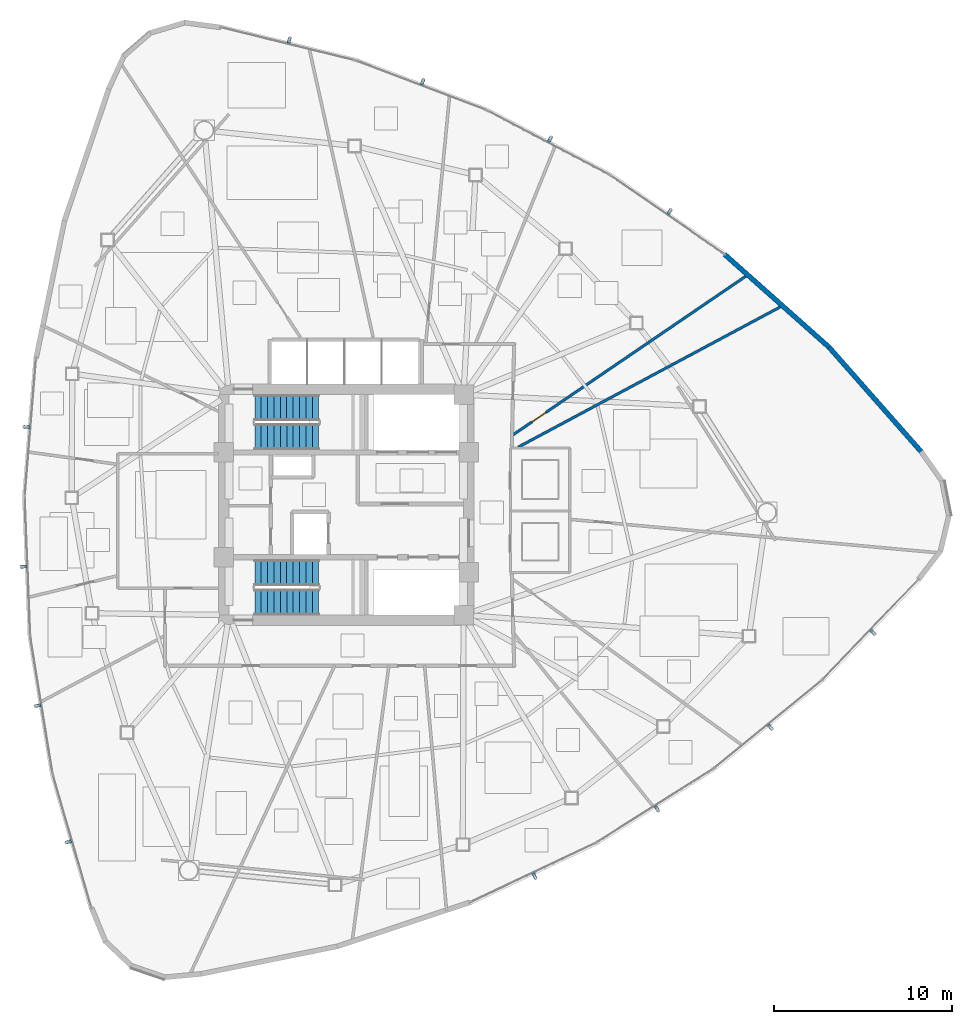
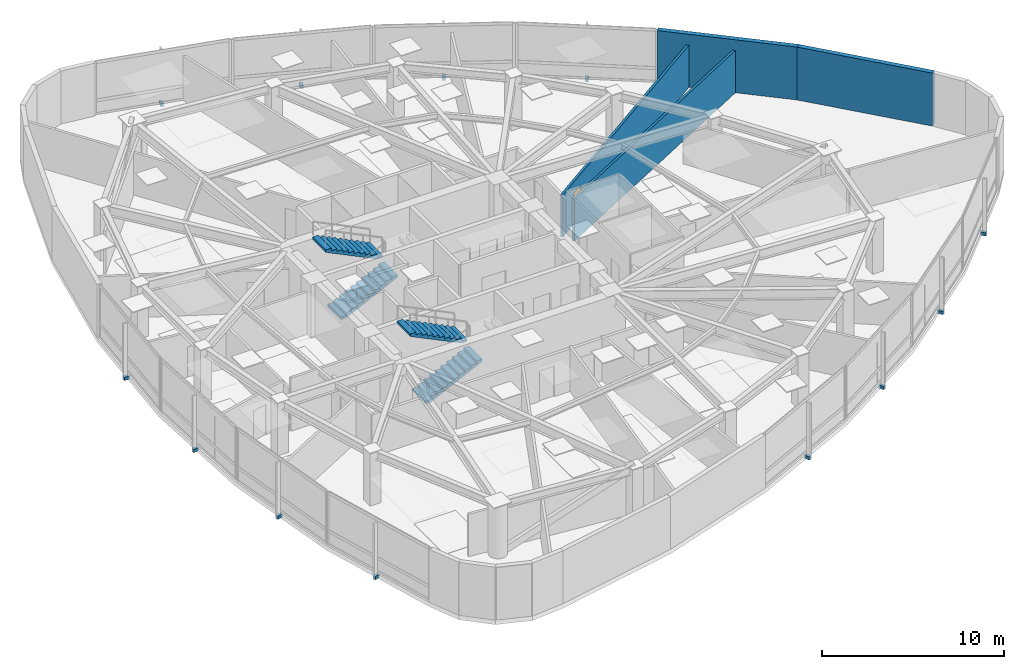
# One storey, part 13 of 17: 12 discrete accessories, 4 stair flights, 4 walls, 1 door, 1 opening, 2 elements without a shape of their own.
"""IFC4 building model written with IfcOpenShell, lengths in metres."""

from ifc_helpers import new_model, si_unit, direction, frame, frame_2d, origin, origin_2d, place, context, subcontext, project, spatial, polyline, rectangle, outline, extrude, source, transform, mapped, material, layer, layer_set, type_object, type_shapes, element, fill, aggregate, save


model = new_model("IFC4")

# Units and contexts
model_context = context("Model", 3, precision=1e-05, world=origin(), true_north=direction((0.0, 1.0)))
body_context = subcontext(model_context, "Body", "Model", "MODEL_VIEW")
ifc_project = project(units=[si_unit("LENGTHUNIT", "METRE"), si_unit("AREAUNIT", "SQUARE_METRE"), si_unit("VOLUMEUNIT", "CUBIC_METRE"), si_unit("PLANEANGLEUNIT", "RADIAN"), si_unit("MASSUNIT", "GRAM", prefix="KILO")], contexts=[model_context])

# Site, building, storey
site_placement = place(None, origin())
site = spatial("IfcSite", under=ifc_project, at=site_placement, CompositionType="ELEMENT")
building_placement = place(site_placement, origin())
building = spatial("IfcBuilding", under=site, at=building_placement, Name="Tavelor Broadcast Tower", CompositionType="ELEMENT")
storey_placement = place(building_placement, frame((0.0, 0.0, 154.10009765625)))
storey = spatial("IfcBuildingStorey", under=building, at=storey_placement, Name="L36", CompositionType="ELEMENT", Elevation=154.10009765625)

# Walls
ifc_material_1 = material(Name="Precast Concrete C40/50", Category="concrete")
ifc_layer_1 = layer(ifc_material_1, 0.280029296875)
ifc_layer_set_1 = layer_set([ifc_layer_1], Name="Precast Concrete C40/50")
wall_type_1 = type_object("IfcWallType", Name="Insulated Precast Terracotta Facade Wall 280 mm", PredefinedType="STANDARD", material=ifc_layer_set_1)
wall_1_placement = place(storey_placement, frame((82.373291015625, 47.9814453125, 0.0), z_axis=(0.0, 0.0, 1.0), x_axis=(-0.661608319917, 0.749849605599, 0.0)))
element("IfcWall", 1, at=wall_1_placement, inside=storey, type_object=wall_type_1, Name="L36 Rounded Corner Structural Cladding Pier 25", PredefinedType="STANDARD", context=body_context, shape_type="SweptSolid", body=[
    extrude(rectangle(XDim=7.88232421875, YDim=0.280029296875, at=frame_2d((3.941162109375, 0.0))), origin(), (0.0, 0.0, 1.0), 3.5498046875),
])
wall_2_placement = place(storey_placement, frame((77.17919921875, 53.870849609375, 0.0), z_axis=(0.0, 0.0, 1.0), x_axis=(-0.747494885578, 0.664267563588, 0.0)))
element("IfcWall", 2, at=wall_2_placement, inside=storey, type_object=wall_type_1, Name="L36 Rounded Corner Structural Cladding Pier 26", PredefinedType="STANDARD", context=body_context, shape_type="SweptSolid", body=[
    extrude(rectangle(XDim=7.870361328125, YDim=0.280029296875, at=frame_2d((3.93505859375, 0.0))), origin(), (0.0, 0.0, 1.0), 3.5498046875),
])
ifc_material_2 = material(Name="Gypsum Acoustic Plasterboard 150 mm", Category="gypsum")
ifc_layer_2 = layer(ifc_material_2, 0.14990234375)
ifc_layer_set_2 = layer_set([ifc_layer_2], Name="Gypsum Acoustic Plasterboard 150 mm")
wall_type_2 = type_object("IfcWallType", Name="Interior Acoustic Partition Wall 150 mm", PredefinedType="PARTITIONING", material=ifc_layer_set_2)
wall_3_placement = place(storey_placement, frame((59.67578125, 48.25, 0.0), z_axis=(0.0, 0.0, 1.0), x_axis=(0.881770932425, 0.471677880265, 0.0)))
element("IfcWall", 3, at=wall_3_placement, inside=storey, type_object=wall_type_2, Name="L36 Radial Compartment Wall 15", PredefinedType="PARTITIONING", context=body_context, shape_type="SweptSolid", body=[
    extrude(rectangle(XDim=16.8798828125, YDim=0.14990234375, at=frame_2d((8.43994140625, 0.0))), origin(), (0.0, 0.0, 1.0), 2.8349609375),
])

# Wall, opening, door
wall_4_placement = place(storey_placement, frame((59.330078125, 48.904296875, 0.0), z_axis=(0.0, 0.0, 1.0), x_axis=(0.82640543954, 0.563075527349, 0.0)))
wall_4 = element("IfcWall", 4, at=wall_4_placement, inside=storey, type_object=wall_type_2, Name="L36 Radial Compartment Wall 16", PredefinedType="PARTITIONING", context=body_context, shape_type="SweptSolid", body=[
    extrude(rectangle(XDim=16.0634765625, YDim=0.14990234375, at=frame_2d((8.03173828125, 0.0))), origin(), (0.0, 0.0, 1.0), 2.8349609375),
])
opening_placement = place(wall_4_placement, frame((1.35009765625, 0.0, 0.0)))
opening = element("IfcOpeningElement", 5, at=opening_placement, cuts=wall_4, Name="Opening DR18", PredefinedType="OPENING", context=body_context, shape_type="SweptSolid", body=[
    extrude(rectangle(XDim=0.949951171875, YDim=2.050048828125, at=frame_2d((0.47509765625, 1.02490234375))), frame((0.0, 0.0849609375, 0.0), z_axis=(0.0, -1.0, 0.0), x_axis=(1.0, 0.0, 0.0)), (0.0, 0.0, 1.0), 0.169921875),
])
ifc_material_3 = material(Name="Timber Solid Core Hardwood", Category="wood")
door_type = type_object("IfcDoorType", Name="Corridor Rated Compartment Door 950x2050", OperationType="NOTDEFINED", PredefinedType="DOOR", material=ifc_material_3)
door_placement = place(opening_placement, origin())
door = element("IfcDoor", 6, at=door_placement, inside=storey, type_object=door_type, Name="L36 Suite Connecting Door 15", OperationType="SINGLE_SWING_LEFT", OverallHeight=2.050048828125, OverallWidth=0.949951171875, PredefinedType="DOOR", context=body_context, shape_type="SweptSolid", body=[
    extrude(rectangle(XDim=0.949951171875, YDim=2.050048828125, at=frame_2d((0.47509765625, 1.02490234375))), frame((0.0, 0.02490234375, 0.0), z_axis=(0.0, -1.0, 0.0), x_axis=(1.0, 0.0, 0.0)), (0.0, 0.0, 1.0), 0.050048828125),
])
fill(opening, door)

# Stair, stair flights
ifc_material_4 = material(Name="Concrete C40/50", Category="concrete")
stair_type = type_object("IfcStairType", Name="Reinforced Concrete Protected Dogleg Stair 1450 mm", PredefinedType="HALF_TURN_STAIR", material=ifc_material_4)
stair_1_placement = place(storey_placement, origin())
stair_1 = element("IfcStair", 7, at=stair_1_placement, inside=storey, type_object=stair_type, Name="L36 Protected Core Exit Stair ST1", PredefinedType="HALF_TURN_STAIR")
stair_flight_type = type_object("IfcStairFlightType", Name="Reinforced Concrete Stair Flight 1450 mm", PredefinedType="STRAIGHT", material=ifc_material_4)
stair_flight_1_placement = place(storey_placement, frame((44.85009765625, 48.824951171875, 0.0), z_axis=(0.0, 0.0, 1.0), x_axis=(1.0, 0.0, 0.0)))
stair_flight_1 = element("IfcStairFlight", 8, at=stair_flight_1_placement, type_object=stair_flight_type, Name="ST1 flight 1", NumberOfRisers=11, NumberOfTreads=10, PredefinedType="STRAIGHT", RiserHeight=0.175, TreadLength=0.36, context=body_context, shape_type="SweptSolid", body=[
    extrude(outline(polyline([(0.0, 0.0), (0.0, 0.175048828125), (0.360107421875, 0.175048828125), (0.360107421875, 0.35009765625), (0.719970703125, 0.35009765625), (0.719970703125, 0.52490234375), (1.080078125, 0.52490234375), (1.080078125, 0.699951171875), (1.43994140625, 0.699951171875), (1.43994140625, 0.875), (1.800048828125, 0.875), (1.800048828125, 1.050048828125), (2.159912109375, 1.050048828125), (2.159912109375, 1.22509765625), (2.52001953125, 1.22509765625), (2.52001953125, 1.39990234375), (2.8798828125, 1.39990234375), (2.8798828125, 1.574951171875), (3.239990234375, 1.574951171875), (3.239990234375, 1.75), (3.60009765625, 1.75), (3.60009765625, 1.925048828125), (3.60009765625, 1.583251953125), (0.3427734375, 0.0), (0.0, 0.0)])), frame((0.0, 0.72509765625, 0.0), z_axis=(0.0, -1.0, 0.0), x_axis=(1.0, 0.0, 0.0)), (0.0, 0.0, 1.0), 1.449951171875),
])
stair_flight_2_placement = place(storey_placement, frame((48.449951171875, 50.47509765625, 1.9248046875), z_axis=(0.0, 0.0, 1.0), x_axis=(-1.0, 0.0, 0.0)))
stair_flight_2 = element("IfcStairFlight", 9, at=stair_flight_2_placement, type_object=stair_flight_type, Name="ST1 flight 2", NumberOfRisers=11, NumberOfTreads=10, PredefinedType="STRAIGHT", RiserHeight=0.175, TreadLength=0.36, context=body_context, shape_type="SweptSolid", body=[
    extrude(outline(polyline([(0.0, 0.0), (0.0, 0.175048828125), (0.360107421875, 0.175048828125), (0.360107421875, 0.35009765625), (0.719970703125, 0.35009765625), (0.719970703125, 0.52490234375), (1.080078125, 0.52490234375), (1.080078125, 0.699951171875), (1.43994140625, 0.699951171875), (1.43994140625, 0.875), (1.800048828125, 0.875), (1.800048828125, 1.050048828125), (2.159912109375, 1.050048828125), (2.159912109375, 1.22509765625), (2.52001953125, 1.22509765625), (2.52001953125, 1.39990234375), (2.8798828125, 1.39990234375), (2.8798828125, 1.574951171875), (3.239990234375, 1.574951171875), (3.239990234375, 1.75), (3.60009765625, 1.75), (3.60009765625, 1.925048828125), (3.60009765625, 1.583251953125), (0.3427734375, 0.0), (0.0, 0.0)])), frame((0.0, 0.72509765625, 0.0), z_axis=(0.0, -1.0, 0.0), x_axis=(1.0, 0.0, 0.0)), (0.0, 0.0, 1.0), 1.449951171875),
])
aggregate(stair_1, [stair_flight_1, stair_flight_2])

stair_2_placement = place(storey_placement, origin())
stair_2 = element("IfcStair", 10, at=stair_2_placement, inside=storey, type_object=stair_type, Name="L36 Protected Core Exit Stair ST2", PredefinedType="HALF_TURN_STAIR")
stair_flight_3_placement = place(storey_placement, frame((44.85009765625, 39.52490234375, 0.0), z_axis=(0.0, 0.0, 1.0), x_axis=(1.0, 0.0, 0.0)))
stair_flight_3 = element("IfcStairFlight", 11, at=stair_flight_3_placement, type_object=stair_flight_type, Name="ST2 flight 1", NumberOfRisers=11, NumberOfTreads=10, PredefinedType="STRAIGHT", RiserHeight=0.175, TreadLength=0.36, context=body_context, shape_type="SweptSolid", body=[
    extrude(outline(polyline([(0.0, 0.0), (0.0, 0.175048828125), (0.360107421875, 0.175048828125), (0.360107421875, 0.35009765625), (0.719970703125, 0.35009765625), (0.719970703125, 0.52490234375), (1.080078125, 0.52490234375), (1.080078125, 0.699951171875), (1.43994140625, 0.699951171875), (1.43994140625, 0.875), (1.800048828125, 0.875), (1.800048828125, 1.050048828125), (2.159912109375, 1.050048828125), (2.159912109375, 1.22509765625), (2.52001953125, 1.22509765625), (2.52001953125, 1.39990234375), (2.8798828125, 1.39990234375), (2.8798828125, 1.574951171875), (3.239990234375, 1.574951171875), (3.239990234375, 1.75), (3.60009765625, 1.75), (3.60009765625, 1.925048828125), (3.60009765625, 1.583251953125), (0.3427734375, 0.0), (0.0, 0.0)])), frame((0.0, 0.72509765625, 0.0), z_axis=(0.0, -1.0, 0.0), x_axis=(1.0, 0.0, 0.0)), (0.0, 0.0, 1.0), 1.449951171875),
])
stair_flight_4_placement = place(storey_placement, frame((48.449951171875, 41.175048828125, 1.9248046875), z_axis=(0.0, 0.0, 1.0), x_axis=(-1.0, 0.0, 0.0)))
stair_flight_4 = element("IfcStairFlight", 12, at=stair_flight_4_placement, type_object=stair_flight_type, Name="ST2 flight 2", NumberOfRisers=11, NumberOfTreads=10, PredefinedType="STRAIGHT", RiserHeight=0.175, TreadLength=0.36, context=body_context, shape_type="SweptSolid", body=[
    extrude(outline(polyline([(0.0, 0.0), (0.0, 0.175048828125), (0.360107421875, 0.175048828125), (0.360107421875, 0.35009765625), (0.719970703125, 0.35009765625), (0.719970703125, 0.52490234375), (1.080078125, 0.52490234375), (1.080078125, 0.699951171875), (1.43994140625, 0.699951171875), (1.43994140625, 0.875), (1.800048828125, 0.875), (1.800048828125, 1.050048828125), (2.159912109375, 1.050048828125), (2.159912109375, 1.22509765625), (2.52001953125, 1.22509765625), (2.52001953125, 1.39990234375), (2.8798828125, 1.39990234375), (2.8798828125, 1.574951171875), (3.239990234375, 1.574951171875), (3.239990234375, 1.75), (3.60009765625, 1.75), (3.60009765625, 1.925048828125), (3.60009765625, 1.583251953125), (0.3427734375, 0.0), (0.0, 0.0)])), frame((0.0, 0.72509765625, 0.0), z_axis=(0.0, -1.0, 0.0), x_axis=(1.0, 0.0, 0.0)), (0.0, 0.0, 1.0), 1.449951171875),
])
aggregate(stair_2, [stair_flight_3, stair_flight_4])

# Discrete accessories
ifc_material_5 = material(Name="Steel S355", Category="steel")
discrete_accessory_type = type_object("IfcDiscreteAccessoryType", Name="Stainless Baguette Outrigger Support Bracket 260x180", PredefinedType="BRACKET", material=ifc_material_5)
shared_shape = source(origin(), body_context, "Body", "SweptSolid", [
    extrude(rectangle(XDim=0.179931640625, YDim=0.340087890625, at=origin_2d()), origin(), (0.0, 0.0, 1.0), 0.216064453125),
])
type_shapes(discrete_accessory_type, [shared_shape])
for number, where, z_axis, x_axis, name in (
    (13, (32.00341796875, 49.385009765625, -0.25830078125), (0.0, 0.0, 1.0), (-0.081416659306, -0.996680153102, 0.0), "L36 Baguette Outrigger Bracket 361"),
    (14, (31.8388671875, 41.523193359375, -0.25830078125), (0.0, 0.0, 1.0), (0.039783005453, -0.999208342878, 0.0), "L36 Baguette Outrigger Bracket 362"),
    (15, (32.626708984375, 33.698974609375, -0.25830078125), (0.0, 0.0, 1.0), (0.160398029092, -0.987052416168, 0.0), "L36 Baguette Outrigger Bracket 363"),
    (16, (34.355712890625, 26.02783203125, -0.25830078125), (0.0, 0.0, 1.0), (0.278655883317, -0.960391013438, 0.0), "L36 Baguette Outrigger Bracket 364"),
    (17, (60.6005859375, 24.104248046875, -0.25830078125), (0.0, 0.0, 1.0), (0.903933318548, 0.427673421689, 0.0), "L36 Baguette Outrigger Bracket 365"),
    (18, (67.49169921875, 27.892578125, -0.25830078125), (0.0, 0.0, 1.0), (0.845448305879, 0.534057264801, 0.0), "L36 Baguette Outrigger Bracket 366"),
    (19, (73.87353515625, 32.487060546875, -0.25830078125), (0.0, 0.0, 1.0), (0.774613452723, 0.632434975995, 0.0), "L36 Baguette Outrigger Bracket 367"),
    (20, (79.652587890625, 37.820068359375, -0.25830078125), (0.0, 0.0, 1.0), (0.692395073545, 0.721518580586, 0.0), "L36 Baguette Outrigger Bracket 368"),
    (21, (68.19580078125, 61.510498046875, -0.25830078125), (0.0, 0.0, 1.0), (-0.82234270698, 0.568992506345, 0.0), "L36 Baguette Outrigger Bracket 369"),
    (22, (61.469482421875, 65.583984375, -0.25830078125), (0.0, 0.0, 1.0), (-0.885231311332, 0.465151078077, 0.0), "L36 Baguette Outrigger Bracket 370"),
    (23, (54.2998046875, 68.813720703125, -0.25830078125), (0.0, 0.0, 1.0), (-0.935011481814, 0.354617440174, 0.0), "L36 Baguette Outrigger Bracket 371"),
    (24, (46.791748046875, 71.152099609375, -0.25830078125), (0.0, 0.0, 1.0), (-0.971050956862, 0.238872432853, 0.0), "L36 Baguette Outrigger Bracket 372"),
):
    element("IfcDiscreteAccessory", number, at=place(storey_placement, frame(where, z_axis=z_axis, x_axis=x_axis)), inside=storey, type_object=discrete_accessory_type, Name=name, PredefinedType="BRACKET", context=body_context, shape_type="MappedRepresentation", body=[
        mapped(shared_shape, transform((0.0, 0.0, 0.0), scale=1.0)),
    ])

save(model, "model.ifc")
